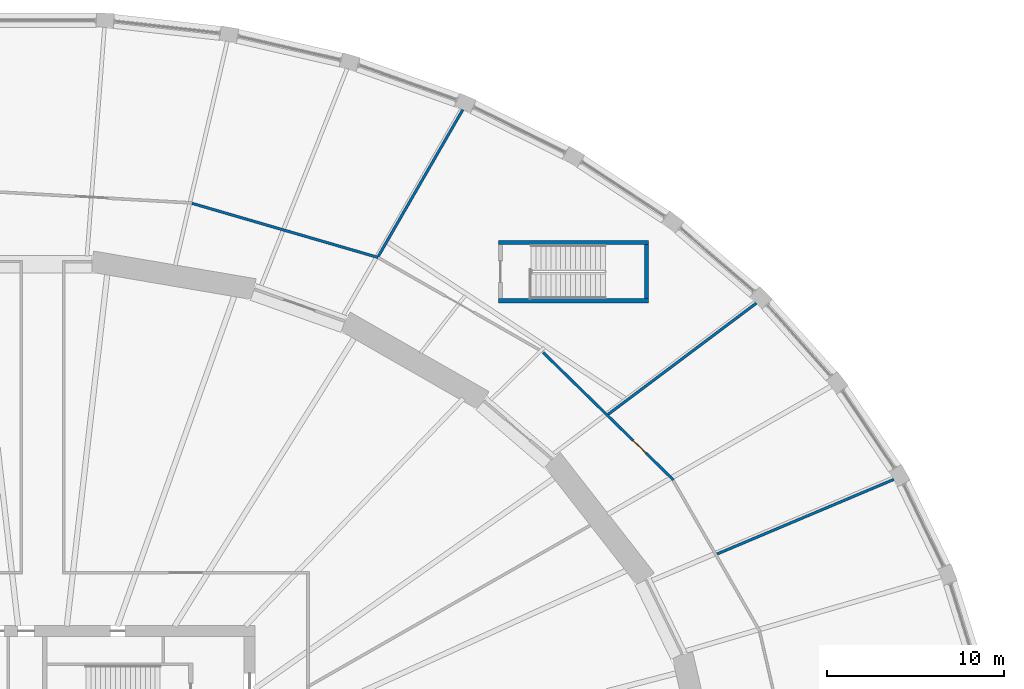
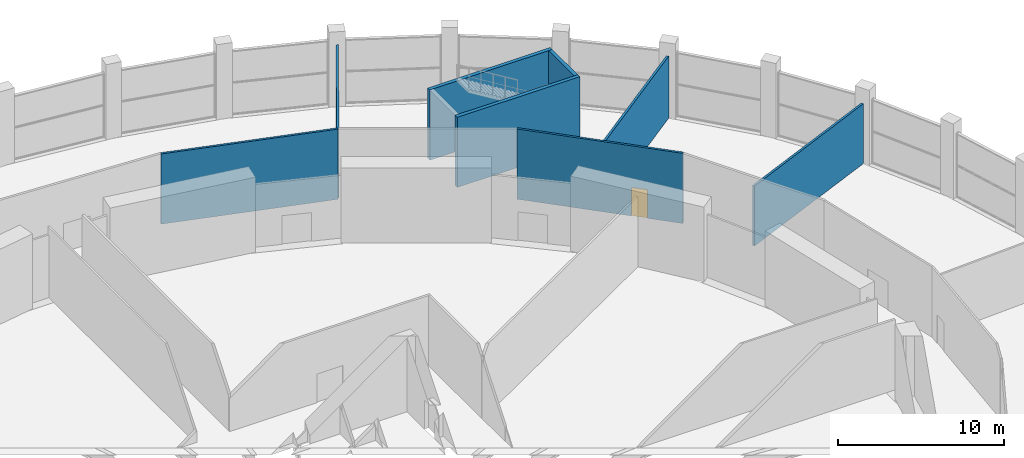
# One storey, part 25 of 29: 8 walls, 1 door, 1 opening.
"""IFC4 building model written with IfcOpenShell, lengths in metres."""

from ifc_helpers import new_model, si_unit, direction, frame, frame_2d, origin, place, context, subcontext, project, spatial, polyline, rectangle, outline, extrude, material, layer, layer_set, type_object, element, fill, save


model = new_model("IFC4")

# Units and contexts
model_context = context("Model", 3, precision=1e-05, world=origin(), true_north=direction((0.0, 1.0)))
body_context = subcontext(model_context, "Body", "Model", "MODEL_VIEW")
ifc_project = project(units=[si_unit("LENGTHUNIT", "METRE"), si_unit("AREAUNIT", "SQUARE_METRE"), si_unit("VOLUMEUNIT", "CUBIC_METRE"), si_unit("PLANEANGLEUNIT", "RADIAN"), si_unit("MASSUNIT", "GRAM", prefix="KILO")], contexts=[model_context])

# Site, building, storey
site_placement = place(None, origin())
site = spatial("IfcSite", under=ifc_project, at=site_placement, CompositionType="ELEMENT")
building_placement = place(site_placement, origin())
building = spatial("IfcBuilding", under=site, at=building_placement, Name="Halqa Exchange Tower", CompositionType="ELEMENT")
storey_placement = place(building_placement, frame((0.0, 0.0, 12.5)))
storey = spatial("IfcBuildingStorey", under=building, at=storey_placement, Name="L02", CompositionType="ELEMENT", Elevation=12.5)

# Walls
ifc_material_1 = material(Name="Fire-rated gypsum board")
ifc_layer_1 = layer(ifc_material_1, 0.14990234375)
ifc_layer_set_1 = layer_set([ifc_layer_1], Name="Fire-rated gypsum board")
wall_type_1 = type_object("IfcWallType", Name="Fire partition EI 60 150", PredefinedType="PARTITIONING", material=ifc_layer_set_1)
wall_1_placement = place(storey_placement, frame((8.445556640625, 35.8623046875, 0.0), z_axis=(0.0, 0.0, 1.0), x_axis=(0.96020899529, -0.27928244729, 0.0)))
element("IfcWall", 1, at=wall_1_placement, inside=storey, type_object=wall_type_1, Name="L02-PWL-054", PredefinedType="PARTITIONING", context=body_context, shape_type="SweptSolid", body=[
    extrude(rectangle(XDim=10.949951171875, YDim=0.14990234375, at=frame_2d((5.47509765625, 0.0))), origin(), (0.0, 0.0, 1.0), 5.14990234375),
])
wall_2_placement = place(storey_placement, frame((18.978271484375, 32.876220703125, 0.0), z_axis=(0.0, 0.0, 1.0), x_axis=(0.499214042651, 0.866478701192, 0.0)))
element("IfcWall", 2, at=wall_2_placement, inside=storey, type_object=wall_type_1, Name="L02-PWL-066", PredefinedType="PARTITIONING", context=body_context, shape_type="SweptSolid", body=[
    extrude(outline(polyline([(0.0, -0.074951171875), (9.558349609375, -0.074951171875), (9.539794921875, 0.074951171875), (0.0, 0.074951171875), (0.0, -0.074951171875)])), origin(), (0.0, 0.0, 1.0), 4.550048828125),
])

# Wall, opening, door
wall_3_placement = place(storey_placement, frame((28.293701171875, 27.427978515625, 0.0), z_axis=(0.0, 0.0, 1.0), x_axis=(0.71483918539, -0.699288880958, 0.0)))
wall_3 = element("IfcWall", 3, at=wall_3_placement, inside=storey, type_object=wall_type_1, Name="L02-PWL-070", PredefinedType="PARTITIONING", context=body_context, shape_type="SweptSolid", body=[
    extrude(rectangle(XDim=10.283447265625, YDim=0.14990234375, at=frame_2d((5.1416015625, 0.0))), origin(), (0.0, 0.0, 1.0), 5.14990234375),
])
opening_placement = place(wall_3_placement, frame((7.096923828125, 0.0, 0.0)))
opening = element("IfcOpeningElement", 4, at=opening_placement, cuts=wall_3, Name="Opening L02-20", PredefinedType="OPENING", context=body_context, shape_type="SweptSolid", body=[
    extrude(rectangle(XDim=1.0, YDim=2.10009765625, at=frame_2d((0.5, 1.050048828125))), frame((0.0, 0.0869140625, 0.0), z_axis=(0.0, -1.0, 0.0), x_axis=(1.0, 0.0, 0.0)), (0.0, 0.0, 1.0), 0.173828125),
])
ifc_material_2 = material(Name="Steel fire door leaf", Category="steel")
door_type = type_object("IfcDoorType", Name="Fire door FD30S 1000 x 2100", OperationType="SINGLE_SWING_LEFT", PredefinedType="DOOR", material=ifc_material_2)
door_placement = place(opening_placement, origin())
door = element("IfcDoor", 5, at=door_placement, inside=storey, type_object=door_type, Name="L02-IDR-020", OperationType="SINGLE_SWING_RIGHT", OverallHeight=2.10009765625, OverallWidth=1.0, PredefinedType="DOOR", context=body_context, shape_type="SweptSolid", body=[
    extrude(rectangle(XDim=1.0, YDim=2.10009765625, at=frame_2d((0.5, 1.050048828125))), frame((0.0, 0.02490234375, 0.0), z_axis=(0.0, -1.0, 0.0), x_axis=(1.0, 0.0, 0.0)), (0.0, 0.0, 1.0), 0.050048828125),
])
fill(opening, door)

# Walls
wall_4_placement = place(storey_placement, frame((38.107421875, 16.04833984375, 0.0), z_axis=(0.0, 0.0, 1.0), x_axis=(0.92132899404, 0.3887838535, 0.0)))
element("IfcWall", 6, at=wall_4_placement, inside=storey, type_object=wall_type_1, Name="L02-PWL-080", PredefinedType="PARTITIONING", context=body_context, shape_type="SweptSolid", body=[
    extrude(outline(polyline([(0.00927734375, -0.074951171875), (10.84912109375, -0.074951171875), (10.83056640625, 0.074951171875), (-0.00927734375, 0.074951171875), (0.00927734375, -0.074951171875)])), origin(), (0.0, 0.0, 1.0), 4.39697265625),
])
wall_5_placement = place(storey_placement, frame((40.33740234375, 30.2255859375, 0.0), z_axis=(0.0, 0.0, 1.0), x_axis=(-0.800117504973, -0.599843294732, 0.0)))
element("IfcWall", 7, at=wall_5_placement, inside=storey, type_object=wall_type_1, Name="L02-PWL-084", PredefinedType="PARTITIONING", context=body_context, shape_type="SweptSolid", body=[
    extrude(outline(polyline([(0.011474609375, -0.074951171875), (10.481689453125, -0.074951171875), (10.458740234375, 0.074951171875), (-0.011474609375, 0.074951171875), (0.011474609375, -0.074951171875)])), origin(), (0.0, 0.0, 1.0), 4.550048828125),
])
ifc_material_3 = material(Name="Concrete C30/37", Category="concrete")
ifc_layer_2 = layer(ifc_material_3, 0.25)
ifc_layer_set_2 = layer_set([ifc_layer_2], Name="Concrete C30/37")
wall_type_2 = type_object("IfcWallType", Name="RC stair wall 250 C30/37", PredefinedType="SHEAR", material=ifc_layer_set_2)
for number, where, z_axis, x_axis, name in (
    (8, (25.75, 33.64990234375, 0.0), (0.0, 0.0, 1.0), (1.0, 0.0, 0.0), "Stair PS1 wall north"),
    (9, (25.75, 30.35009765625, 0.0), (0.0, 0.0, 1.0), (1.0, 0.0, 0.0), "Stair PS1 wall south"),
):
    element("IfcWall", number, at=place(storey_placement, frame(where, z_axis=z_axis, x_axis=x_axis)), inside=storey, type_object=wall_type_2, Name=name, PredefinedType="SHEAR", context=body_context, shape_type="SweptSolid", body=[
        extrude(rectangle(XDim=8.5, YDim=0.25, at=frame_2d((4.25, 0.0))), origin(), (0.0, 0.0, 1.0), 5.14990234375),
    ])
wall_6_placement = place(storey_placement, frame((34.125, 30.47509765625, 0.0), z_axis=(0.0, 0.0, 1.0), x_axis=(0.0, 1.0, 0.0)))
element("IfcWall", 10, at=wall_6_placement, inside=storey, type_object=wall_type_2, Name="Stair PS1 wall east", PredefinedType="SHEAR", context=body_context, shape_type="SweptSolid", body=[
    extrude(rectangle(XDim=3.0498046875, YDim=0.25, at=frame_2d((1.52490234375, 0.0))), origin(), (0.0, 0.0, 1.0), 5.14990234375),
])

save(model, "model.ifc")
